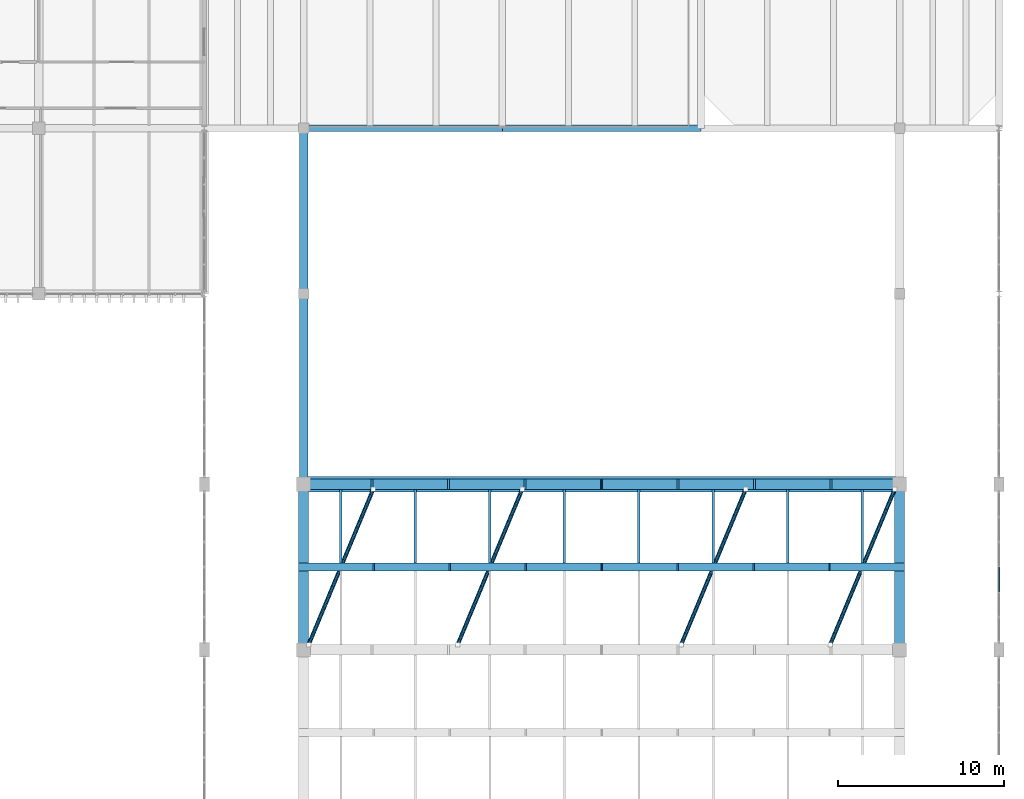
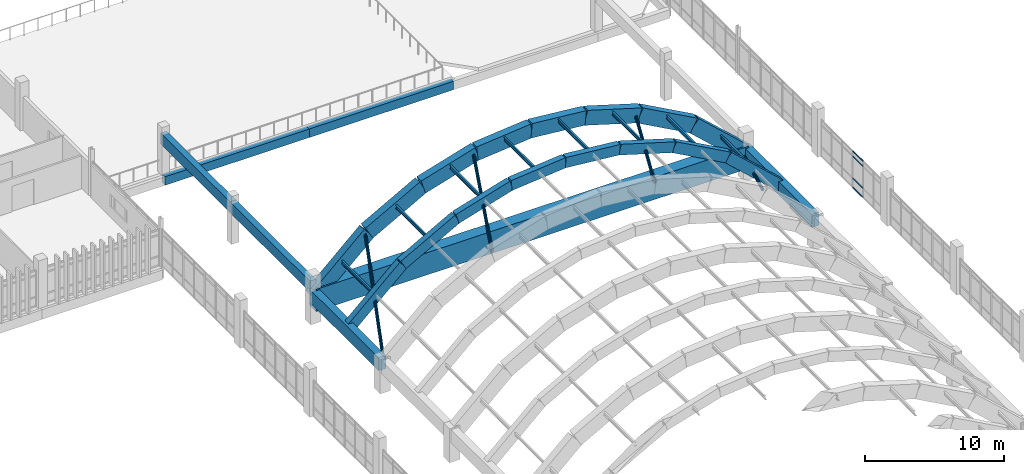
# One storey, part 83 of 111: 23 beams, 16 members, 1 element without a shape of its own.
"""IFC4 building model written with IfcOpenShell, lengths in metres."""

import ifcopenshell
import ifcopenshell.guid

model = None  # the IFC model being written
_history = None  # IfcOwnerHistory: only IFC2X3 demands one
_inside = {}  # id of a spatial element -> (the spatial element, [elements in it])
_under = {}  # id of a project, library or spatial element -> (it, [spatial elements below it])
_declared = {}  # id of a project -> (the project, [libraries it declares])
_typed = {}  # id of a type object -> (the type object, [elements of that type])
_made_of = {}  # id of a material, layer set ... -> (it, [elements and type objects made of it])


def new_model(schema):
    """Start an empty IFC model of exactly this schema.

    Asked for "IFC4X3", IfcOpenShell would pick the latest addendum, in which some entities
    have other attributes; the version numbers below select the first issue.
    IFC2X3 requires an IfcOwnerHistory on every rooted entity: one is made here for all.
    """
    global model, _history
    if schema == "IFC4X3":
        model = ifcopenshell.file(schema_version=(4, 3, 0, 0))
    else:
        model = ifcopenshell.file(schema=schema)
    _inside.clear()
    _under.clear()
    _declared.clear()
    _typed.clear()
    _made_of.clear()
    _history = None
    if model.schema == "IFC2X3":
        org = make("IfcOrganization", Name="unknown")
        user = make(
            "IfcPersonAndOrganization",
            ThePerson=make("IfcPerson", FamilyName="unknown"),
            TheOrganization=org,
        )
        app = make(
            "IfcApplication",
            ApplicationDeveloper=org,
            Version="unknown",
            ApplicationFullName="unknown",
            ApplicationIdentifier="unknown",
        )
        _history = make(
            "IfcOwnerHistory",
            OwningUser=user,
            OwningApplication=app,
            ChangeAction="ADDED",
            CreationDate=0,
        )
    return model


def make(cls, **values):
    """One entity of the class cls with the attributes given. An attribute that is None is left unset."""
    return model.create_entity(
        cls, **{name: value for name, value in values.items() if value is not None}
    )


def rooted(cls, **values):
    """An entity with a GlobalId (a new one), such as an element, a storey or a relation."""
    return make(cls, GlobalId=ifcopenshell.guid.new(), OwnerHistory=_history, **values)


def si_unit(unit_type, name, prefix=None):
    """IfcSIUnit, for example si_unit("LENGTHUNIT", "METRE", prefix="MILLI")."""
    return make("IfcSIUnit", UnitType=unit_type, Prefix=prefix, Name=name)


def assignment(units):
    """IfcUnitAssignment: the units of a project."""
    return None if units is None else make("IfcUnitAssignment", Units=units)


def point(xyz):
    """IfcCartesianPoint."""
    return None if xyz is None else make("IfcCartesianPoint", Coordinates=xyz)


def direction(xyz):
    """IfcDirection."""
    return None if xyz is None else make("IfcDirection", DirectionRatios=xyz)


def frame(location, z_axis=None, x_axis=None):
    """IfcAxis2Placement3D, a coordinate frame: its origin and axes. An axis left out is left unset."""
    return make(
        "IfcAxis2Placement3D",
        Location=point(location),
        Axis=direction(z_axis),
        RefDirection=direction(x_axis),
    )


def frame_2d(location, x_axis=None):
    """IfcAxis2Placement2D, a coordinate frame in the plane: its origin and x axis."""
    return make(
        "IfcAxis2Placement2D", Location=point(location), RefDirection=direction(x_axis)
    )


def origin():
    """The frame at (0, 0, 0) with its axes left unset."""
    return frame((0.0, 0.0, 0.0))


def origin_2d():
    """The frame at (0, 0) in the plane with its x axis left unset."""
    return frame_2d((0.0, 0.0))


def place(relative_to, where):
    """IfcLocalPlacement: puts the frame where relative to a parent placement (None: the world)."""
    return make(
        "IfcLocalPlacement", PlacementRelTo=relative_to, RelativePlacement=where
    )


def context(
    kind, dimensions, precision=None, world=None, true_north=None, identifier=None
):
    """IfcGeometricRepresentationContext, for example the 3D "Model" context."""
    return make(
        "IfcGeometricRepresentationContext",
        ContextIdentifier=identifier,
        ContextType=kind,
        CoordinateSpaceDimension=dimensions,
        Precision=precision,
        WorldCoordinateSystem=world,
        TrueNorth=true_north,
    )


def subcontext(parent, identifier, kind, view, scale=None):
    """IfcGeometricRepresentationSubContext, for example "Body" below "Model"."""
    return make(
        "IfcGeometricRepresentationSubContext",
        ContextIdentifier=identifier,
        ContextType=kind,
        ParentContext=parent,
        TargetScale=scale,
        TargetView=view,
    )


def project(units=None, contexts=None):
    """IfcProject with its units and contexts."""
    return rooted(
        "IfcProject",
        Name="project",
        RepresentationContexts=contexts,
        UnitsInContext=assignment(units),
    )


def spatial(cls, under=None, at=None, **own):
    """A site, building, storey or space (cls), placed at a placement, below another one or the project."""
    s = rooted(cls, ObjectPlacement=at, **own)
    if under is not None:
        _under.setdefault(under.id(), (under, []))[1].append(s)
    return s


def profile(cls, at=None, kind="AREA", **sizes):
    """A parametric profile (cls). Its sizes go by their IFC names, for example OverallWidth=200.0."""
    return make(cls, ProfileType=kind, Position=at, **sizes)


def rectangle(**sizes):
    """IfcRectangleProfileDef."""
    return profile("IfcRectangleProfileDef", **sizes)


def hollow_rectangle(**sizes):
    """IfcRectangleHollowProfileDef."""
    return profile("IfcRectangleHollowProfileDef", **sizes)


def hollow_circle(**sizes):
    """IfcCircleHollowProfileDef."""
    return profile("IfcCircleHollowProfileDef", **sizes)


def i_section(**sizes):
    """IfcIShapeProfileDef."""
    return profile("IfcIShapeProfileDef", **sizes)


def extrude(swept, where, along, depth):
    """IfcExtrudedAreaSolid: the profile swept, set in the frame where, extruded along a direction by depth."""
    return make(
        "IfcExtrudedAreaSolid",
        SweptArea=swept,
        Position=where,
        ExtrudedDirection=direction(along),
        Depth=depth,
    )


def shape(context_of_items, identifier, shape_type, items):
    """IfcShapeRepresentation: the items that make up one representation, for example the "Body"."""
    return make(
        "IfcShapeRepresentation",
        ContextOfItems=context_of_items,
        RepresentationIdentifier=identifier,
        RepresentationType=shape_type,
        Items=items,
    )


def material(Name=None, Category=None):
    """IfcMaterial."""
    return make("IfcMaterial", Name=Name, Category=Category)


def layer(
    of_material, thickness, ventilated=None, Name=None, Category=None, Priority=None
):
    """IfcMaterialLayer: one layer of a wall or slab, of a material (None: an air gap)."""
    return make(
        "IfcMaterialLayer",
        Material=of_material,
        LayerThickness=thickness,
        IsVentilated=ventilated,
        Name=Name,
        Category=Category,
        Priority=Priority,
    )


def layer_set(layers, Name=None):
    """IfcMaterialLayerSet."""
    return make("IfcMaterialLayerSet", MaterialLayers=layers, LayerSetName=Name)


def material_profile(
    of_material, cross_section, Name=None, Category=None, Priority=None
):
    """IfcMaterialProfile: a cross section and its material."""
    return make(
        "IfcMaterialProfile",
        Name=Name,
        Material=of_material,
        Profile=cross_section,
        Priority=Priority,
        Category=Category,
    )


def profile_set(profiles, Name=None, composite=None):
    """IfcMaterialProfileSet."""
    return make(
        "IfcMaterialProfileSet",
        Name=Name,
        MaterialProfiles=profiles,
        CompositeProfile=composite,
    )


def made_of(thing, what):
    """Note that an element or type object is made of a material, layer set ...; save() writes the relation."""
    if what is not None:
        _made_of.setdefault(what.id(), (what, []))[1].append(thing)
    return thing


def type_object(cls, material=None, **own):
    """A type object (cls), such as IfcWallType, which elements share."""
    return made_of(rooted(cls, **own), material)


def element(
    cls,
    number,
    at=None,
    inside=None,
    cuts=None,
    type_object=None,
    material=None,
    context=None,
    identifier="Body",
    shape_type=None,
    held_by="IfcProductDefinitionShape",
    body=None,
    shapes=None,
    **own,
):
    """One element of the class cls, such as IfcWall. Its Tag is "e" and its number.

    at: its placement. inside: the storey or other place that contains it. cuts: it is an
    opening in that element (IfcRelVoidsElement). A single representation is given by context,
    identifier, shape_type and body (its items); several are given by shapes. held_by: the class
    of the entity that holds the representations. save() writes the other relations.
    """
    e = rooted(cls, Tag="e%d" % number, ObjectPlacement=at, **own)
    if body is not None:
        shapes = [shape(context, identifier, shape_type, body)]
    if shapes is not None:
        e.Representation = make(held_by, Representations=shapes)
    if inside is not None:
        _inside.setdefault(inside.id(), (inside, []))[1].append(e)
    if cuts is not None:
        rooted(
            "IfcRelVoidsElement", RelatingBuildingElement=cuts, RelatedOpeningElement=e
        )
    if type_object is not None:
        _typed.setdefault(type_object.id(), (type_object, []))[1].append(e)
    return made_of(e, material)


def aggregate(whole, parts):
    """IfcRelAggregates: a whole, such as a stair, and the parts it consists of."""
    return rooted("IfcRelAggregates", RelatingObject=whole, RelatedObjects=parts)


def save(model, path):
    """Write the relations noted so far, then the file.

    IfcRelAggregates (storeys below a building ...), IfcRelContainedInSpatialStructure (elements
    in a storey), IfcRelDefinesByType, IfcRelAssociatesMaterial and IfcRelDeclares: one each for
    every whole, place, type object, material and project.
    """
    for whole, parts in _under.values():
        aggregate(whole, parts)
    for where, things in _inside.values():
        rooted(
            "IfcRelContainedInSpatialStructure",
            RelatedElements=things,
            RelatingStructure=where,
        )
    for kind, things in _typed.values():
        rooted("IfcRelDefinesByType", RelatedObjects=things, RelatingType=kind)
    for what, things in _made_of.values():
        rooted("IfcRelAssociatesMaterial", RelatedObjects=things, RelatingMaterial=what)
    for by, libraries in _declared.values():
        rooted("IfcRelDeclares", RelatingContext=by, RelatedDefinitions=libraries)
    model.write(path)


model = new_model("IFC4")

# Units and contexts
model_context = context("Model", 3, precision=1e-05, world=origin(), true_north=direction((0.0, 1.0)))
body_context = subcontext(model_context, "Body", "Model", "MODEL_VIEW")
ifc_project = project(units=[si_unit("LENGTHUNIT", "METRE"), si_unit("AREAUNIT", "SQUARE_METRE"), si_unit("VOLUMEUNIT", "CUBIC_METRE"), si_unit("PLANEANGLEUNIT", "RADIAN"), si_unit("MASSUNIT", "GRAM", prefix="KILO")], contexts=[model_context])

# Site, building, storey
site_placement = place(None, origin())
site = spatial("IfcSite", under=ifc_project, at=site_placement, CompositionType="ELEMENT")
building_placement = place(site_placement, origin())
building = spatial("IfcBuilding", under=site, at=building_placement, Name="Mersad Railyard Sports Hall", CompositionType="ELEMENT")
storey_placement = place(building_placement, frame((0.0, 0.0, 9.0)))
storey = spatial("IfcBuildingStorey", under=building, at=storey_placement, Name="L02", CompositionType="ELEMENT", Elevation=9.0)

# Curtain wall, members
ifc_material_1 = material(Name="Aluminium 6063-T6", Category="aluminium")
ifc_layer = layer(ifc_material_1, 0.159912109375)
ifc_layer_set = layer_set([ifc_layer], Name="Aluminium 6063-T6")
curtain_wall_type = type_object("IfcCurtainWallType", Name="ARC-CW-CW17", PredefinedType="USERDEFINED", material=ifc_layer_set)
curtain_wall_placement = place(storey_placement, origin())
curtain_wall = element("IfcCurtainWall", 1, at=curtain_wall_placement, inside=storey, type_object=curtain_wall_type, Name="Curtain wall CW17-0057", ObjectType="CURTAIN WALL", PredefinedType="USERDEFINED")
ifc_material_profile_1 = material_profile(ifc_material_1, hollow_rectangle(XDim=0.06005859375, YDim=0.1201171875, WallThickness=0.00390625, at=origin_2d()), Name="AL TRANSOM 60x120x4")
ifc_profile_set_1 = profile_set([ifc_material_profile_1], Name="Aluminium 6063-T6")
member_type_1 = type_object("IfcMemberType", Name="ARC-CW-TRN01", PredefinedType="USERDEFINED", material=ifc_profile_set_1)
member_1_placement = place(storey_placement, frame((179.0, 68.47998046875, 0.0400390625), z_axis=(0.0, -1.0, 0.0), x_axis=(1.0, 0.0, 0.0)))
member_1 = element("IfcMember", 2, at=member_1_placement, type_object=member_type_1, Name="CW17 Transom 1-4", ObjectType="TRANSOM", PredefinedType="USERDEFINED", context=body_context, shape_type="SweptSolid", body=[
    extrude(hollow_rectangle(XDim=0.06005859375, YDim=0.1201171875, WallThickness=0.00390625, at=origin_2d()), origin(), (0.0, 0.0, 1.0), 1.469970703125),
])
member_2_placement = place(storey_placement, frame((179.0, 68.47998046875, 0.85009765625), z_axis=(0.0, -1.0, 0.0), x_axis=(1.0, 0.0, 0.0)))
member_2 = element("IfcMember", 3, at=member_2_placement, type_object=member_type_1, Name="CW17 Transom 2-4", ObjectType="TRANSOM", PredefinedType="USERDEFINED", context=body_context, shape_type="SweptSolid", body=[
    extrude(hollow_rectangle(XDim=0.06005859375, YDim=0.1201171875, WallThickness=0.00390625, at=origin_2d()), origin(), (0.0, 0.0, 1.0), 1.469970703125),
])
member_3_placement = place(storey_placement, frame((179.0, 68.47998046875, 2.780029296875), z_axis=(0.0, -1.0, 0.0), x_axis=(1.0, 0.0, 0.0)))
member_3 = element("IfcMember", 4, at=member_3_placement, type_object=member_type_1, Name="CW17 Transom 3-4", ObjectType="TRANSOM", PredefinedType="USERDEFINED", context=body_context, shape_type="SweptSolid", body=[
    extrude(hollow_rectangle(XDim=0.06005859375, YDim=0.1201171875, WallThickness=0.00390625, at=origin_2d()), origin(), (0.0, 0.0, 1.0), 1.469970703125),
])
member_4_placement = place(storey_placement, frame((179.0, 68.47998046875, 3.219970703125), z_axis=(0.0, -1.0, 0.0), x_axis=(1.0, 0.0, 0.0)))
member_4 = element("IfcMember", 5, at=member_4_placement, type_object=member_type_1, Name="CW17 Transom 4-4", ObjectType="TRANSOM", PredefinedType="USERDEFINED", context=body_context, shape_type="SweptSolid", body=[
    extrude(hollow_rectangle(XDim=0.06005859375, YDim=0.1201171875, WallThickness=0.00390625, at=origin_2d()), origin(), (0.0, 0.0, 1.0), 1.469970703125),
])
aggregate(curtain_wall, [member_1, member_2, member_3, member_4])

# Beams
ifc_material_2 = material(Name="Concrete C40/50", Category="concrete")
ifc_material_profile_2 = material_profile(ifc_material_2, rectangle(XDim=0.39990234375, YDim=0.75, at=origin_2d()), Name="RC 400x750")
ifc_profile_set_2 = profile_set([ifc_material_profile_2], Name="Concrete C40/50")
beam_type_1 = type_object("IfcBeamType", Name="STR-BM-B01", PredefinedType="BEAM", material=ifc_profile_set_2)
for number, where, z_axis, x_axis, name in (
    (6, (137.0, 95.0, -0.675048828125), (1.0, 0.0, 0.0), (0.0, 1.0, 0.0), "Beam B01-1125"),
    (7, (149.0, 95.0, -0.675048828125), (1.0, 0.0, 0.0), (0.0, 1.0, 0.0), "Beam B01-1126"),
):
    element("IfcBeam", number, at=place(storey_placement, frame(where, z_axis=z_axis, x_axis=x_axis)), inside=storey, type_object=beam_type_1, Name=name, PredefinedType="BEAM", context=body_context, shape_type="SweptSolid", body=[
        extrude(rectangle(XDim=0.39990234375, YDim=0.75, at=origin_2d()), origin(), (0.0, 0.0, 1.0), 12.0),
    ])
ifc_material_3 = material(Name="Concrete C50/60", Category="concrete")
ifc_material_profile_3 = material_profile(ifc_material_3, rectangle(XDim=0.5, YDim=0.949951171875, at=origin_2d()), Name="RC 500x950")
ifc_profile_set_3 = profile_set([ifc_material_profile_3], Name="Concrete C50/60")
beam_type_2 = type_object("IfcBeamType", Name="STR-BM-B03", PredefinedType="BEAM", material=ifc_profile_set_3)
beam_1_placement = place(storey_placement, frame((137.0, 73.5, 3.050048828125), z_axis=(0.0, 1.0, 0.0), x_axis=(-1.0, 0.0, 0.0)))
element("IfcBeam", 8, at=beam_1_placement, inside=storey, type_object=beam_type_2, Name="Beam B03-1576", PredefinedType="BEAM", context=body_context, shape_type="SweptSolid", body=[
    extrude(rectangle(XDim=0.5, YDim=0.949951171875, at=origin_2d()), origin(), (0.0, 0.0, 1.0), 11.5),
])
beam_2_placement = place(storey_placement, frame((137.0, 85.0, 3.050048828125), z_axis=(0.0, 1.0, 0.0), x_axis=(-1.0, 0.0, 0.0)))
element("IfcBeam", 9, at=beam_2_placement, inside=storey, type_object=beam_type_2, Name="Beam B03-1578", PredefinedType="BEAM", context=body_context, shape_type="SweptSolid", body=[
    extrude(rectangle(XDim=0.5, YDim=0.949951171875, at=origin_2d()), origin(), (0.0, 0.0, 1.0), 10.0),
])
ifc_material_profile_4 = material_profile(ifc_material_3, rectangle(XDim=0.60009765625, YDim=1.14990234375, at=origin_2d()), Name="RC 600x1150")
ifc_profile_set_4 = profile_set([ifc_material_profile_4], Name="Concrete C50/60")
beam_type_3 = type_object("IfcBeamType", Name="STR-BM-B05", PredefinedType="BEAM", material=ifc_profile_set_4)
for number, where, z_axis, x_axis, name in (
    (10, (137.0, 63.5, 2.300048828125), (0.0, 1.0, 0.0), (-1.0, 0.0, 0.0), "Beam B05-0717"),
    (11, (173.0, 63.5, 2.300048828125), (0.0, 1.0, 0.0), (-1.0, 0.0, 0.0), "Beam B05-0718"),
):
    element("IfcBeam", number, at=place(storey_placement, frame(where, z_axis=z_axis, x_axis=x_axis)), inside=storey, type_object=beam_type_3, Name=name, PredefinedType="BEAM", context=body_context, shape_type="SweptSolid", body=[
        extrude(rectangle(XDim=0.60009765625, YDim=1.14990234375, at=origin_2d()), origin(), (0.0, 0.0, 1.0), 10.0),
    ])
ifc_material_4 = material(Name="Post-tensioned concrete C50/60", Category="concrete")
ifc_material_profile_5 = material_profile(ifc_material_4, rectangle(XDim=0.949951171875, YDim=1.949951171875, at=origin_2d()), Name="PT 950x1950")
ifc_profile_set_5 = profile_set([ifc_material_profile_5], Name="Post-tensioned concrete C50/60")
beam_type_4 = type_object("IfcBeamType", Name="STR-BM-TG03", PredefinedType="USERDEFINED", material=ifc_profile_set_5)
beam_3_placement = place(storey_placement, frame((137.0, 73.5, 2.02490234375), z_axis=(1.0, 0.0, 0.0), x_axis=(0.0, 1.0, 0.0)))
element("IfcBeam", 12, at=beam_3_placement, inside=storey, type_object=beam_type_4, Name="Transfer girder TG03-0720", ObjectType="GIRDER", PredefinedType="USERDEFINED", context=body_context, shape_type="SweptSolid", body=[
    extrude(rectangle(XDim=0.949951171875, YDim=1.949951171875, at=origin_2d()), origin(), (0.0, 0.0, 1.0), 36.0),
])
ifc_material_5 = material(Name="Architectural concrete C50/60", Category="concrete")
ifc_material_profile_6 = material_profile(ifc_material_5, rectangle(XDim=0.64990234375, YDim=1.25, at=origin_2d()), Name="VR 650x1250")
ifc_profile_set_6 = profile_set([ifc_material_profile_6], Name="Architectural concrete C50/60")
beam_type_5 = type_object("IfcBeamType", Name="STR-BM-VR01", PredefinedType="BEAM", material=ifc_profile_set_6)
beam_4_placement = place(storey_placement, frame((137.0, 73.5, 2.14990234375), z_axis=(0.736556702909, 0.0, 0.676375800425), x_axis=(0.0, 1.0, 0.0)))
element("IfcBeam", 13, at=beam_4_placement, inside=storey, type_object=beam_type_5, Name="Beam VR01-0833", PredefinedType="BEAM", context=body_context, shape_type="SweptSolid", body=[
    extrude(rectangle(XDim=0.64990234375, YDim=1.25, at=origin_2d()), origin(), (0.0, 0.0, 1.0), 6.109619140625),
])
beam_5_placement = place(storey_placement, frame((141.5, 73.5, 6.2822265625), z_axis=(0.876227952683, 0.0, 0.48189685093), x_axis=(0.0, 1.0, 0.0)))
element("IfcBeam", 14, at=beam_5_placement, inside=storey, type_object=beam_type_5, Name="Beam VR01-0834", PredefinedType="BEAM", context=body_context, shape_type="SweptSolid", body=[
    extrude(rectangle(XDim=0.64990234375, YDim=1.25, at=origin_2d()), origin(), (0.0, 0.0, 1.0), 5.1357421875),
])
beam_6_placement = place(storey_placement, frame((146.0, 73.5, 8.757080078125), z_axis=(0.957376232028, 0.0, 0.288843816531), x_axis=(0.0, 1.0, 0.0)))
element("IfcBeam", 15, at=beam_6_placement, inside=storey, type_object=beam_type_5, Name="Beam VR01-0835", PredefinedType="BEAM", context=body_context, shape_type="SweptSolid", body=[
    extrude(rectangle(XDim=0.64990234375, YDim=1.25, at=origin_2d()), origin(), (0.0, 0.0, 1.0), 4.700439453125),
])
for number, where, z_axis, x_axis, name in (
    (16, (150.5, 73.5, 10.11474609375), (0.995353854101, 0.0, 0.096284500969), (0.0, 1.0, 0.0), "Beam VR01-0836"),
    (17, (155.0, 73.5, 10.550048828125), (0.995353854101, 0.0, -0.096284500969), (0.0, 1.0, 0.0), "Beam VR01-0837"),
):
    element("IfcBeam", number, at=place(storey_placement, frame(where, z_axis=z_axis, x_axis=x_axis)), inside=storey, type_object=beam_type_5, Name=name, PredefinedType="BEAM", context=body_context, shape_type="SweptSolid", body=[
        extrude(rectangle(XDim=0.64990234375, YDim=1.25, at=origin_2d()), origin(), (0.0, 0.0, 1.0), 4.52099609375),
    ])
beam_7_placement = place(storey_placement, frame((159.5, 73.5, 10.11474609375), z_axis=(0.957376232028, 0.0, -0.288843816531), x_axis=(0.0, 1.0, 0.0)))
element("IfcBeam", 18, at=beam_7_placement, inside=storey, type_object=beam_type_5, Name="Beam VR01-0838", PredefinedType="BEAM", context=body_context, shape_type="SweptSolid", body=[
    extrude(rectangle(XDim=0.64990234375, YDim=1.25, at=origin_2d()), origin(), (0.0, 0.0, 1.0), 4.700439453125),
])
beam_8_placement = place(storey_placement, frame((164.0, 73.5, 8.757080078125), z_axis=(0.876227952683, 0.0, -0.48189685093), x_axis=(0.0, 1.0, 0.0)))
element("IfcBeam", 19, at=beam_8_placement, inside=storey, type_object=beam_type_5, Name="Beam VR01-0839", PredefinedType="BEAM", context=body_context, shape_type="SweptSolid", body=[
    extrude(rectangle(XDim=0.64990234375, YDim=1.25, at=origin_2d()), origin(), (0.0, 0.0, 1.0), 5.1357421875),
])
beam_9_placement = place(storey_placement, frame((168.5, 73.5, 6.2822265625), z_axis=(0.736556702909, 0.0, -0.676375800425), x_axis=(0.0, 1.0, 0.0)))
element("IfcBeam", 20, at=beam_9_placement, inside=storey, type_object=beam_type_5, Name="Beam VR01-0840", PredefinedType="BEAM", context=body_context, shape_type="SweptSolid", body=[
    extrude(rectangle(XDim=0.64990234375, YDim=1.25, at=origin_2d()), origin(), (0.0, 0.0, 1.0), 6.109619140625),
])
ifc_material_profile_7 = material_profile(ifc_material_5, rectangle(XDim=0.5, YDim=0.89990234375, at=origin_2d()), Name="VR 500x900")
ifc_profile_set_7 = profile_set([ifc_material_profile_7], Name="Architectural concrete C50/60")
beam_type_6 = type_object("IfcBeamType", Name="STR-BM-VR02", PredefinedType="BEAM", material=ifc_profile_set_7)
beam_10_placement = place(storey_placement, frame((137.0, 68.5, 2.340087890625), z_axis=(0.736576611143, 0.0, 0.676354120204), x_axis=(0.0, 1.0, 0.0)))
element("IfcBeam", 21, at=beam_10_placement, inside=storey, type_object=beam_type_6, Name="Beam VR02-0825", PredefinedType="BEAM", context=body_context, shape_type="SweptSolid", body=[
    extrude(rectangle(XDim=0.5, YDim=0.89990234375, at=origin_2d()), origin(), (0.0, 0.0, 1.0), 6.109375),
])
beam_11_placement = place(storey_placement, frame((141.5, 68.5, 6.47216796875), z_axis=(0.876227952683, 0.0, 0.48189685093), x_axis=(0.0, 1.0, 0.0)))
element("IfcBeam", 22, at=beam_11_placement, inside=storey, type_object=beam_type_6, Name="Beam VR02-0826", PredefinedType="BEAM", context=body_context, shape_type="SweptSolid", body=[
    extrude(rectangle(XDim=0.5, YDim=0.89990234375, at=origin_2d()), origin(), (0.0, 0.0, 1.0), 5.1357421875),
])
beam_12_placement = place(storey_placement, frame((146.0, 68.5, 8.947021484375), z_axis=(0.957361867705, 0.0, 0.288891422969), x_axis=(0.0, 1.0, 0.0)))
element("IfcBeam", 23, at=beam_12_placement, inside=storey, type_object=beam_type_6, Name="Beam VR02-0827", PredefinedType="BEAM", context=body_context, shape_type="SweptSolid", body=[
    extrude(rectangle(XDim=0.5, YDim=0.89990234375, at=origin_2d()), origin(), (0.0, 0.0, 1.0), 4.700439453125),
])
for number, where, z_axis, x_axis, name in (
    (24, (150.5, 68.5, 10.304931640625), (0.99535902803, 0.0, 0.09623099978), (0.0, 1.0, 0.0), "Beam VR02-0828"),
    (25, (155.0, 68.5, 10.739990234375), (0.99535902803, 0.0, -0.09623099978), (0.0, 1.0, 0.0), "Beam VR02-0829"),
):
    element("IfcBeam", number, at=place(storey_placement, frame(where, z_axis=z_axis, x_axis=x_axis)), inside=storey, type_object=beam_type_6, Name=name, PredefinedType="BEAM", context=body_context, shape_type="SweptSolid", body=[
        extrude(rectangle(XDim=0.5, YDim=0.89990234375, at=origin_2d()), origin(), (0.0, 0.0, 1.0), 4.52099609375),
    ])
beam_13_placement = place(storey_placement, frame((159.5, 68.5, 10.304931640625), z_axis=(0.957361867705, 0.0, -0.288891422969), x_axis=(0.0, 1.0, 0.0)))
element("IfcBeam", 26, at=beam_13_placement, inside=storey, type_object=beam_type_6, Name="Beam VR02-0830", PredefinedType="BEAM", context=body_context, shape_type="SweptSolid", body=[
    extrude(rectangle(XDim=0.5, YDim=0.89990234375, at=origin_2d()), origin(), (0.0, 0.0, 1.0), 4.700439453125),
])
beam_14_placement = place(storey_placement, frame((164.0, 68.5, 8.947021484375), z_axis=(0.876227952683, 0.0, -0.48189685093), x_axis=(0.0, 1.0, 0.0)))
element("IfcBeam", 27, at=beam_14_placement, inside=storey, type_object=beam_type_6, Name="Beam VR02-0831", PredefinedType="BEAM", context=body_context, shape_type="SweptSolid", body=[
    extrude(rectangle(XDim=0.5, YDim=0.89990234375, at=origin_2d()), origin(), (0.0, 0.0, 1.0), 5.1357421875),
])
beam_15_placement = place(storey_placement, frame((168.5, 68.5, 6.47216796875), z_axis=(0.736576611143, 0.0, -0.676354120204), x_axis=(0.0, 1.0, 0.0)))
element("IfcBeam", 28, at=beam_15_placement, inside=storey, type_object=beam_type_6, Name="Beam VR02-0832", PredefinedType="BEAM", context=body_context, shape_type="SweptSolid", body=[
    extrude(rectangle(XDim=0.5, YDim=0.89990234375, at=origin_2d()), origin(), (0.0, 0.0, 1.0), 6.109375),
])

# Members
ifc_material_6 = material(Name="Steel S355", Category="steel")
ifc_material_profile_8 = material_profile(ifc_material_6, hollow_circle(Radius=0.122314453125, WallThickness=0.012451171875, at=origin_2d()), Name="CHS 244.5x12.5")
ifc_profile_set_8 = profile_set([ifc_material_profile_8], Name="Steel S355")
member_type_2 = type_object("IfcMemberType", Name="STR-MEM-BR01", PredefinedType="BRACE", material=ifc_profile_set_8)
member_5_placement = place(storey_placement, frame((137.300048828125, 63.804931640625, 2.1201171875), z_axis=(0.355333311329, 0.855567160406, 0.376487811083), x_axis=(-0.923518176545, 0.383554660499, 0.0)))
element("IfcMember", 29, at=member_5_placement, inside=storey, type_object=member_type_2, Name="Structural member BR01-0210", PredefinedType="BRACE", context=body_context, shape_type="SweptSolid", body=[
    extrude(hollow_circle(Radius=0.122314453125, WallThickness=0.012451171875, at=origin_2d()), origin(), (0.0, 0.0, 1.0), 10.975341796875),
])
for number, where, z_axis, x_axis, name in (
    (30, (146.300048828125, 63.804931640625, 8.72705078125), (0.380179270822, 0.915390954948, 0.132374928278), (-0.923518176545, 0.383554660499, 0.0), "Structural member BR01-0211"),
    (31, (159.800048828125, 63.804931640625, 10.0849609375), (0.380179270822, 0.915390954948, -0.132374928278), (-0.923518176545, 0.383554660499, 0.0), "Structural member BR01-0212"),
):
    element("IfcMember", number, at=place(storey_placement, frame(where, z_axis=z_axis, x_axis=x_axis)), inside=storey, type_object=member_type_2, Name=name, PredefinedType="BRACE", context=body_context, shape_type="SweptSolid", body=[
        extrude(hollow_circle(Radius=0.122314453125, WallThickness=0.012451171875, at=origin_2d()), origin(), (0.0, 0.0, 1.0), 10.258056640625),
    ])
member_6_placement = place(storey_placement, frame((168.800048828125, 63.804931640625, 6.252197265625), z_axis=(0.355333311329, 0.855567160406, -0.376487811083), x_axis=(-0.923518176545, 0.383554660499, 0.0)))
element("IfcMember", 32, at=member_6_placement, inside=storey, type_object=member_type_2, Name="Structural member BR01-0213", PredefinedType="BRACE", context=body_context, shape_type="SweptSolid", body=[
    extrude(hollow_circle(Radius=0.122314453125, WallThickness=0.012451171875, at=origin_2d()), origin(), (0.0, 0.0, 1.0), 10.975341796875),
])
ifc_material_profile_9 = material_profile(ifc_material_6, i_section(OverallWidth=0.14990234375, OverallDepth=0.300048828125, WebThickness=0.007080078125, FlangeThickness=0.0107421875, at=origin_2d()), Name="IPE 300")
ifc_profile_set_9 = profile_set([ifc_material_profile_9], Name="Steel S355")
member_type_3 = type_object("IfcMemberType", Name="STR-MEM-PU02", PredefinedType="PURLIN", material=ifc_profile_set_9)
for number, where, z_axis, x_axis, name in (
    (33, (139.25, 68.72998046875, 4.546142578125), (0.0, 1.0, 0.0), (-1.0, 0.0, 0.0), "Structural member PU02-0195"),
    (34, (143.75, 68.72998046875, 7.849609375), (0.0, 1.0, 0.0), (-1.0, 0.0, 0.0), "Structural member PU02-0197"),
    (35, (148.25, 68.72998046875, 9.765869140625), (0.0, 1.0, 0.0), (-1.0, 0.0, 0.0), "Structural member PU02-0199"),
    (36, (152.75, 68.72998046875, 10.662353515625), (0.0, 1.0, 0.0), (-1.0, 0.0, 0.0), "Structural member PU02-0201"),
    (37, (157.25, 68.72998046875, 10.662353515625), (0.0, 1.0, 0.0), (-1.0, 0.0, 0.0), "Structural member PU02-0203"),
    (38, (161.75, 68.72998046875, 9.765869140625), (0.0, 1.0, 0.0), (-1.0, 0.0, 0.0), "Structural member PU02-0205"),
    (39, (166.25, 68.72998046875, 7.849609375), (0.0, 1.0, 0.0), (-1.0, 0.0, 0.0), "Structural member PU02-0207"),
    (40, (170.75, 68.72998046875, 4.546142578125), (0.0, 1.0, 0.0), (-1.0, 0.0, 0.0), "Structural member PU02-0209"),
):
    element("IfcMember", number, at=place(storey_placement, frame(where, z_axis=z_axis, x_axis=x_axis)), inside=storey, type_object=member_type_3, Name=name, PredefinedType="PURLIN", context=body_context, shape_type="SweptSolid", body=[
        extrude(i_section(OverallWidth=0.14990234375, OverallDepth=0.300048828125, WebThickness=0.007080078125, FlangeThickness=0.0107421875, at=origin_2d()), origin(), (0.0, 0.0, 1.0), 4.465087890625),
    ])

save(model, "model.ifc")
